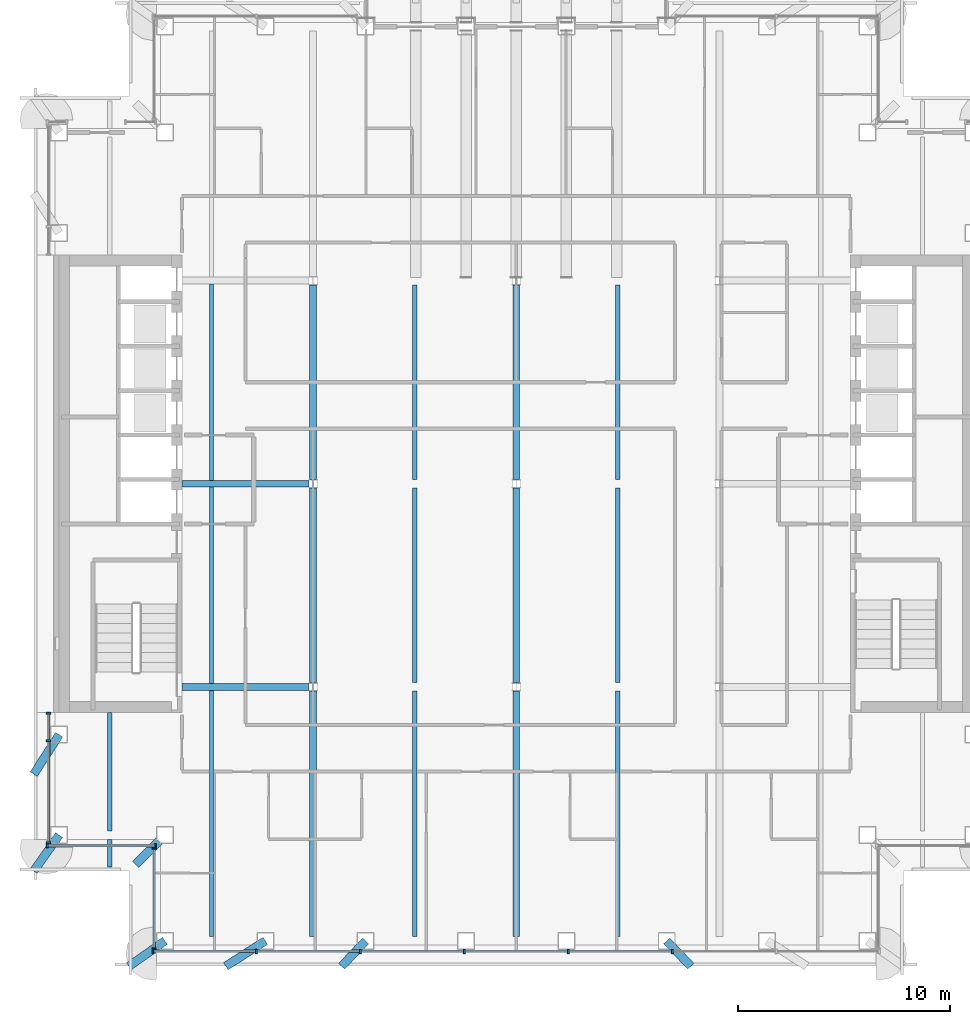
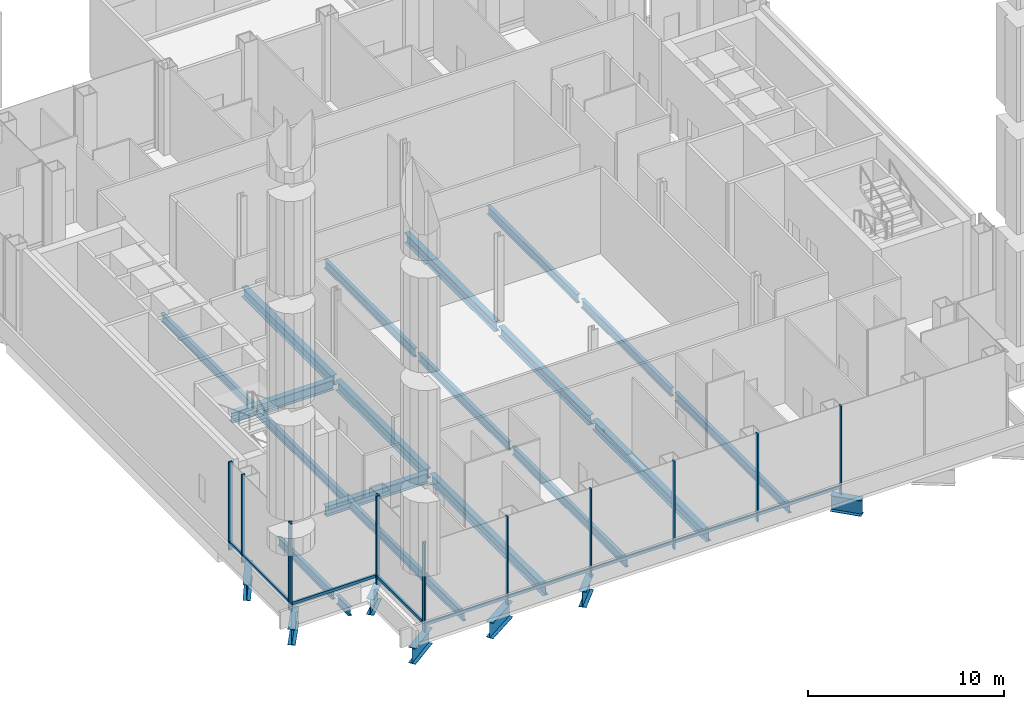
# One storey, part 3 of 22: 26 beams, 22 members, 4 elements without a shape of their own.
"""IFC4 building model written with IfcOpenShell, lengths in metres."""

import ifcopenshell
import ifcopenshell.guid

model = None  # the IFC model being written
_history = None  # IfcOwnerHistory: only IFC2X3 demands one
_inside = {}  # id of a spatial element -> (the spatial element, [elements in it])
_under = {}  # id of a project, library or spatial element -> (it, [spatial elements below it])
_declared = {}  # id of a project -> (the project, [libraries it declares])
_typed = {}  # id of a type object -> (the type object, [elements of that type])
_made_of = {}  # id of a material, layer set ... -> (it, [elements and type objects made of it])


def new_model(schema):
    """Start an empty IFC model of exactly this schema.

    Asked for "IFC4X3", IfcOpenShell would pick the latest addendum, in which some entities
    have other attributes; the version numbers below select the first issue.
    IFC2X3 requires an IfcOwnerHistory on every rooted entity: one is made here for all.
    """
    global model, _history
    if schema == "IFC4X3":
        model = ifcopenshell.file(schema_version=(4, 3, 0, 0))
    else:
        model = ifcopenshell.file(schema=schema)
    _inside.clear()
    _under.clear()
    _declared.clear()
    _typed.clear()
    _made_of.clear()
    _history = None
    if model.schema == "IFC2X3":
        org = make("IfcOrganization", Name="unknown")
        user = make(
            "IfcPersonAndOrganization",
            ThePerson=make("IfcPerson", FamilyName="unknown"),
            TheOrganization=org,
        )
        app = make(
            "IfcApplication",
            ApplicationDeveloper=org,
            Version="unknown",
            ApplicationFullName="unknown",
            ApplicationIdentifier="unknown",
        )
        _history = make(
            "IfcOwnerHistory",
            OwningUser=user,
            OwningApplication=app,
            ChangeAction="ADDED",
            CreationDate=0,
        )
    return model


def make(cls, **values):
    """One entity of the class cls with the attributes given. An attribute that is None is left unset."""
    return model.create_entity(
        cls, **{name: value for name, value in values.items() if value is not None}
    )


def rooted(cls, **values):
    """An entity with a GlobalId (a new one), such as an element, a storey or a relation."""
    return make(cls, GlobalId=ifcopenshell.guid.new(), OwnerHistory=_history, **values)


def si_unit(unit_type, name, prefix=None):
    """IfcSIUnit, for example si_unit("LENGTHUNIT", "METRE", prefix="MILLI")."""
    return make("IfcSIUnit", UnitType=unit_type, Prefix=prefix, Name=name)


def assignment(units):
    """IfcUnitAssignment: the units of a project."""
    return None if units is None else make("IfcUnitAssignment", Units=units)


def point(xyz):
    """IfcCartesianPoint."""
    return None if xyz is None else make("IfcCartesianPoint", Coordinates=xyz)


def direction(xyz):
    """IfcDirection."""
    return None if xyz is None else make("IfcDirection", DirectionRatios=xyz)


def frame(location, z_axis=None, x_axis=None):
    """IfcAxis2Placement3D, a coordinate frame: its origin and axes. An axis left out is left unset."""
    return make(
        "IfcAxis2Placement3D",
        Location=point(location),
        Axis=direction(z_axis),
        RefDirection=direction(x_axis),
    )


def frame_2d(location, x_axis=None):
    """IfcAxis2Placement2D, a coordinate frame in the plane: its origin and x axis."""
    return make(
        "IfcAxis2Placement2D", Location=point(location), RefDirection=direction(x_axis)
    )


def origin():
    """The frame at (0, 0, 0) with its axes left unset."""
    return frame((0.0, 0.0, 0.0))


def origin_2d():
    """The frame at (0, 0) in the plane with its x axis left unset."""
    return frame_2d((0.0, 0.0))


def place(relative_to, where):
    """IfcLocalPlacement: puts the frame where relative to a parent placement (None: the world)."""
    return make(
        "IfcLocalPlacement", PlacementRelTo=relative_to, RelativePlacement=where
    )


def context(
    kind, dimensions, precision=None, world=None, true_north=None, identifier=None
):
    """IfcGeometricRepresentationContext, for example the 3D "Model" context."""
    return make(
        "IfcGeometricRepresentationContext",
        ContextIdentifier=identifier,
        ContextType=kind,
        CoordinateSpaceDimension=dimensions,
        Precision=precision,
        WorldCoordinateSystem=world,
        TrueNorth=true_north,
    )


def subcontext(parent, identifier, kind, view, scale=None):
    """IfcGeometricRepresentationSubContext, for example "Body" below "Model"."""
    return make(
        "IfcGeometricRepresentationSubContext",
        ContextIdentifier=identifier,
        ContextType=kind,
        ParentContext=parent,
        TargetScale=scale,
        TargetView=view,
    )


def project(units=None, contexts=None):
    """IfcProject with its units and contexts."""
    return rooted(
        "IfcProject",
        Name="project",
        RepresentationContexts=contexts,
        UnitsInContext=assignment(units),
    )


def spatial(cls, under=None, at=None, **own):
    """A site, building, storey or space (cls), placed at a placement, below another one or the project."""
    s = rooted(cls, ObjectPlacement=at, **own)
    if under is not None:
        _under.setdefault(under.id(), (under, []))[1].append(s)
    return s


def profile(cls, at=None, kind="AREA", **sizes):
    """A parametric profile (cls). Its sizes go by their IFC names, for example OverallWidth=200.0."""
    return make(cls, ProfileType=kind, Position=at, **sizes)


def rectangle(**sizes):
    """IfcRectangleProfileDef."""
    return profile("IfcRectangleProfileDef", **sizes)


def i_section(**sizes):
    """IfcIShapeProfileDef."""
    return profile("IfcIShapeProfileDef", **sizes)


def extrude(swept, where, along, depth):
    """IfcExtrudedAreaSolid: the profile swept, set in the frame where, extruded along a direction by depth."""
    return make(
        "IfcExtrudedAreaSolid",
        SweptArea=swept,
        Position=where,
        ExtrudedDirection=direction(along),
        Depth=depth,
    )


def shape(context_of_items, identifier, shape_type, items):
    """IfcShapeRepresentation: the items that make up one representation, for example the "Body"."""
    return make(
        "IfcShapeRepresentation",
        ContextOfItems=context_of_items,
        RepresentationIdentifier=identifier,
        RepresentationType=shape_type,
        Items=items,
    )


def material(Name=None, Category=None):
    """IfcMaterial."""
    return make("IfcMaterial", Name=Name, Category=Category)


def material_profile(
    of_material, cross_section, Name=None, Category=None, Priority=None
):
    """IfcMaterialProfile: a cross section and its material."""
    return make(
        "IfcMaterialProfile",
        Name=Name,
        Material=of_material,
        Profile=cross_section,
        Priority=Priority,
        Category=Category,
    )


def profile_set(profiles, Name=None, composite=None):
    """IfcMaterialProfileSet."""
    return make(
        "IfcMaterialProfileSet",
        Name=Name,
        MaterialProfiles=profiles,
        CompositeProfile=composite,
    )


def made_of(thing, what):
    """Note that an element or type object is made of a material, layer set ...; save() writes the relation."""
    if what is not None:
        _made_of.setdefault(what.id(), (what, []))[1].append(thing)
    return thing


def type_object(cls, material=None, **own):
    """A type object (cls), such as IfcWallType, which elements share."""
    return made_of(rooted(cls, **own), material)


def element(
    cls,
    number,
    at=None,
    inside=None,
    cuts=None,
    type_object=None,
    material=None,
    context=None,
    identifier="Body",
    shape_type=None,
    held_by="IfcProductDefinitionShape",
    body=None,
    shapes=None,
    **own,
):
    """One element of the class cls, such as IfcWall. Its Tag is "e" and its number.

    at: its placement. inside: the storey or other place that contains it. cuts: it is an
    opening in that element (IfcRelVoidsElement). A single representation is given by context,
    identifier, shape_type and body (its items); several are given by shapes. held_by: the class
    of the entity that holds the representations. save() writes the other relations.
    """
    e = rooted(cls, Tag="e%d" % number, ObjectPlacement=at, **own)
    if body is not None:
        shapes = [shape(context, identifier, shape_type, body)]
    if shapes is not None:
        e.Representation = make(held_by, Representations=shapes)
    if inside is not None:
        _inside.setdefault(inside.id(), (inside, []))[1].append(e)
    if cuts is not None:
        rooted(
            "IfcRelVoidsElement", RelatingBuildingElement=cuts, RelatedOpeningElement=e
        )
    if type_object is not None:
        _typed.setdefault(type_object.id(), (type_object, []))[1].append(e)
    return made_of(e, material)


def aggregate(whole, parts):
    """IfcRelAggregates: a whole, such as a stair, and the parts it consists of."""
    return rooted("IfcRelAggregates", RelatingObject=whole, RelatedObjects=parts)


def save(model, path):
    """Write the relations noted so far, then the file.

    IfcRelAggregates (storeys below a building ...), IfcRelContainedInSpatialStructure (elements
    in a storey), IfcRelDefinesByType, IfcRelAssociatesMaterial and IfcRelDeclares: one each for
    every whole, place, type object, material and project.
    """
    for whole, parts in _under.values():
        aggregate(whole, parts)
    for where, things in _inside.values():
        rooted(
            "IfcRelContainedInSpatialStructure",
            RelatedElements=things,
            RelatingStructure=where,
        )
    for kind, things in _typed.values():
        rooted("IfcRelDefinesByType", RelatedObjects=things, RelatingType=kind)
    for what, things in _made_of.values():
        rooted("IfcRelAssociatesMaterial", RelatedObjects=things, RelatingMaterial=what)
    for by, libraries in _declared.values():
        rooted("IfcRelDeclares", RelatingContext=by, RelatedDefinitions=libraries)
    model.write(path)


model = new_model("IFC4")

# Units and contexts
model_context = context("Model", 3, precision=1e-05, world=origin(), true_north=direction((0.0, 1.0)))
body_context = subcontext(model_context, "Body", "Model", "MODEL_VIEW")
ifc_project = project(units=[si_unit("LENGTHUNIT", "METRE"), si_unit("AREAUNIT", "SQUARE_METRE"), si_unit("VOLUMEUNIT", "CUBIC_METRE"), si_unit("PLANEANGLEUNIT", "RADIAN"), si_unit("MASSUNIT", "GRAM", prefix="KILO")], contexts=[model_context])

# Site, building, storey
site_placement = place(None, origin())
site = spatial("IfcSite", under=ifc_project, at=site_placement, CompositionType="ELEMENT")
building_placement = place(site_placement, origin())
building = spatial("IfcBuilding", under=site, at=building_placement, Name="Cobrizo Arcos Hotel Tower", CompositionType="ELEMENT")
storey_placement = place(building_placement, frame((0.0, 0.0, 142.5)))
storey = spatial("IfcBuildingStorey", under=building, at=storey_placement, Name="L36", CompositionType="ELEMENT", Elevation=142.5)

# Curtain wall, members
ifc_material_1 = material(Name="Aluminium 6063-T6 anodised bronze", Category="aluminium")
curtain_wall_type = type_object("IfcCurtainWallType", Name="CW-E sky lobby glazing", PredefinedType="NOTDEFINED", material=ifc_material_1)
curtain_wall_1_placement = place(storey_placement, origin())
curtain_wall_1 = element("IfcCurtainWall", 1, at=curtain_wall_1_placement, inside=storey, type_object=curtain_wall_type, Name="CW-E L36 S face", PredefinedType="NOTDEFINED")
ifc_material_profile_1 = material_profile(ifc_material_1, rectangle(XDim=0.199951171875, YDim=0.080078125, at=origin_2d()), Name="CW-E mullion 200x80")
ifc_profile_set_1 = profile_set([ifc_material_profile_1], Name="Aluminium 6063-T6 anodised bronze")
member_type_1 = type_object("IfcMemberType", Name="CW-E mullion 200x80", PredefinedType="MULLION", material=ifc_profile_set_1)
member_1_placement = place(storey_placement, frame((-17.159912109375, -22.10009765625, 0.0), z_axis=(0.0, 0.0, 1.0), x_axis=(0.0, -1.0, 0.0)))
member_1 = element("IfcMember", 2, at=member_1_placement, type_object=member_type_1, Name="CW-E mullion 1", PredefinedType="MULLION", context=body_context, shape_type="SweptSolid", body=[
    extrude(rectangle(XDim=0.199951171875, YDim=0.080078125, at=origin_2d()), origin(), (0.0, 0.0, 1.0), 5.5),
])
member_2_placement = place(storey_placement, frame((-12.28564453125, -22.10009765625, 0.0), z_axis=(0.0, 0.0, 1.0), x_axis=(0.0, -1.0, 0.0)))
member_2 = element("IfcMember", 3, at=member_2_placement, type_object=member_type_1, Name="CW-E mullion 2", PredefinedType="MULLION", context=body_context, shape_type="SweptSolid", body=[
    extrude(rectangle(XDim=0.199951171875, YDim=0.080078125, at=origin_2d()), origin(), (0.0, 0.0, 1.0), 5.5),
])
member_3_placement = place(storey_placement, frame((-7.371337890625, -22.10009765625, 0.0), z_axis=(0.0, 0.0, 1.0), x_axis=(0.0, -1.0, 0.0)))
member_3 = element("IfcMember", 4, at=member_3_placement, type_object=member_type_1, Name="CW-E mullion 3", PredefinedType="MULLION", context=body_context, shape_type="SweptSolid", body=[
    extrude(rectangle(XDim=0.199951171875, YDim=0.080078125, at=origin_2d()), origin(), (0.0, 0.0, 1.0), 5.5),
])
member_4_placement = place(storey_placement, frame((-2.45703125, -22.10009765625, 0.0), z_axis=(0.0, 0.0, 1.0), x_axis=(0.0, -1.0, 0.0)))
member_4 = element("IfcMember", 5, at=member_4_placement, type_object=member_type_1, Name="CW-E mullion 4", PredefinedType="MULLION", context=body_context, shape_type="SweptSolid", body=[
    extrude(rectangle(XDim=0.199951171875, YDim=0.080078125, at=origin_2d()), origin(), (0.0, 0.0, 1.0), 5.5),
])
member_5_placement = place(storey_placement, frame((2.45703125, -22.10009765625, 0.0), z_axis=(0.0, 0.0, 1.0), x_axis=(0.0, -1.0, 0.0)))
member_5 = element("IfcMember", 6, at=member_5_placement, type_object=member_type_1, Name="CW-E mullion 5", PredefinedType="MULLION", context=body_context, shape_type="SweptSolid", body=[
    extrude(rectangle(XDim=0.199951171875, YDim=0.080078125, at=origin_2d()), origin(), (0.0, 0.0, 1.0), 5.5),
])
member_6_placement = place(storey_placement, frame((7.371337890625, -22.10009765625, 0.0), z_axis=(0.0, 0.0, 1.0), x_axis=(0.0, -1.0, 0.0)))
member_6 = element("IfcMember", 7, at=member_6_placement, type_object=member_type_1, Name="CW-E mullion 6", PredefinedType="MULLION", context=body_context, shape_type="SweptSolid", body=[
    extrude(rectangle(XDim=0.199951171875, YDim=0.080078125, at=origin_2d()), origin(), (0.0, 0.0, 1.0), 5.5),
])

curtain_wall_2_placement = place(storey_placement, origin())
curtain_wall_2 = element("IfcCurtainWall", 8, at=curtain_wall_2_placement, inside=storey, type_object=curtain_wall_type, Name="CW-E L36 W face", PredefinedType="NOTDEFINED")
member_7_placement = place(storey_placement, frame((-22.10009765625, -10.840087890625, 0.0), z_axis=(0.0, 0.0, 1.0), x_axis=(-1.0, 0.0, 0.0)))
member_7 = element("IfcMember", 9, at=member_7_placement, type_object=member_type_1, Name="CW-E mullion 1", PredefinedType="MULLION", context=body_context, shape_type="SweptSolid", body=[
    extrude(rectangle(XDim=0.199951171875, YDim=0.080078125, at=origin_2d()), origin(), (0.0, 0.0, 1.0), 5.5),
])
member_8_placement = place(storey_placement, frame((-22.10009765625, -12.142822265625, 0.0), z_axis=(0.0, 0.0, 1.0), x_axis=(-1.0, 0.0, 0.0)))
member_8 = element("IfcMember", 10, at=member_8_placement, type_object=member_type_1, Name="CW-E mullion 2", PredefinedType="MULLION", context=body_context, shape_type="SweptSolid", body=[
    extrude(rectangle(XDim=0.199951171875, YDim=0.080078125, at=origin_2d()), origin(), (0.0, 0.0, 1.0), 5.5),
])
member_9_placement = place(storey_placement, frame((-22.10009765625, -16.9599609375, 0.0), z_axis=(0.0, 0.0, 1.0), x_axis=(-1.0, 0.0, 0.0)))
member_9 = element("IfcMember", 11, at=member_9_placement, type_object=member_type_1, Name="CW-E mullion 3", PredefinedType="MULLION", context=body_context, shape_type="SweptSolid", body=[
    extrude(rectangle(XDim=0.199951171875, YDim=0.080078125, at=origin_2d()), origin(), (0.0, 0.0, 1.0), 5.5),
])

curtain_wall_3_placement = place(storey_placement, origin())
curtain_wall_3 = element("IfcCurtainWall", 12, at=curtain_wall_3_placement, inside=storey, type_object=curtain_wall_type, Name="CW-E L36 S face", PredefinedType="NOTDEFINED")
member_10_placement = place(storey_placement, frame((-22.159912109375, -17.10009765625, 0.0), z_axis=(0.0, 0.0, 1.0), x_axis=(0.0, -1.0, 0.0)))
member_10 = element("IfcMember", 13, at=member_10_placement, type_object=member_type_1, Name="CW-E mullion 1", PredefinedType="MULLION", context=body_context, shape_type="SweptSolid", body=[
    extrude(rectangle(XDim=0.199951171875, YDim=0.080078125, at=origin_2d()), origin(), (0.0, 0.0, 1.0), 5.5),
])
member_11_placement = place(storey_placement, frame((-17.0400390625, -17.10009765625, 0.0), z_axis=(0.0, 0.0, 1.0), x_axis=(0.0, -1.0, 0.0)))
member_11 = element("IfcMember", 14, at=member_11_placement, type_object=member_type_1, Name="CW-E mullion 2", PredefinedType="MULLION", context=body_context, shape_type="SweptSolid", body=[
    extrude(rectangle(XDim=0.199951171875, YDim=0.080078125, at=origin_2d()), origin(), (0.0, 0.0, 1.0), 5.5),
])

curtain_wall_4_placement = place(storey_placement, origin())
curtain_wall_4 = element("IfcCurtainWall", 15, at=curtain_wall_4_placement, inside=storey, type_object=curtain_wall_type, Name="CW-E L36 W face", PredefinedType="NOTDEFINED")
member_12_placement = place(storey_placement, frame((-17.10009765625, -17.239990234375, 0.0), z_axis=(0.0, 0.0, 1.0), x_axis=(-1.0, 0.0, 0.0)))
member_12 = element("IfcMember", 16, at=member_12_placement, type_object=member_type_1, Name="CW-E mullion 1", PredefinedType="MULLION", context=body_context, shape_type="SweptSolid", body=[
    extrude(rectangle(XDim=0.199951171875, YDim=0.080078125, at=origin_2d()), origin(), (0.0, 0.0, 1.0), 5.5),
])
member_13_placement = place(storey_placement, frame((-17.10009765625, -21.9599609375, 0.0), z_axis=(0.0, 0.0, 1.0), x_axis=(-1.0, 0.0, 0.0)))
member_13 = element("IfcMember", 17, at=member_13_placement, type_object=member_type_1, Name="CW-E mullion 2", PredefinedType="MULLION", context=body_context, shape_type="SweptSolid", body=[
    extrude(rectangle(XDim=0.199951171875, YDim=0.080078125, at=origin_2d()), origin(), (0.0, 0.0, 1.0), 5.5),
])

# Member
ifc_material_profile_2 = material_profile(ifc_material_1, rectangle(XDim=0.1201171875, YDim=0.179931640625, at=origin_2d()), Name="CW-E transom 180x120")
ifc_profile_set_2 = profile_set([ifc_material_profile_2], Name="Aluminium 6063-T6 anodised bronze")
member_type_2 = type_object("IfcMemberType", Name="CW-E transom 180x120", PredefinedType="USERDEFINED", material=ifc_profile_set_2)
member_14_placement = place(storey_placement, frame((-17.1201171875, -22.10009765625, 0.449951171875), z_axis=(1.0, 0.0, 0.0), x_axis=(0.0, 1.0, 0.0)))
member_14 = element("IfcMember", 18, at=member_14_placement, type_object=member_type_2, Name="CW-E transom 1307", ObjectType="TRANSOM", PredefinedType="USERDEFINED", context=body_context, shape_type="SweptSolid", body=[
    extrude(rectangle(XDim=0.1201171875, YDim=0.179931640625, at=origin_2d()), origin(), (0.0, 0.0, 1.0), 4.79443359375),
])

member_15_placement = place(storey_placement, frame((-12.24560546875, -22.10009765625, 0.449951171875), z_axis=(1.0, 0.0, 0.0), x_axis=(0.0, 1.0, 0.0)))
member_15 = element("IfcMember", 19, at=member_15_placement, type_object=member_type_2, Name="CW-E transom 1308", ObjectType="TRANSOM", PredefinedType="USERDEFINED", context=body_context, shape_type="SweptSolid", body=[
    extrude(rectangle(XDim=0.1201171875, YDim=0.179931640625, at=origin_2d()), origin(), (0.0, 0.0, 1.0), 4.834228515625),
])

member_16_placement = place(storey_placement, frame((-7.33154296875, -22.10009765625, 0.449951171875), z_axis=(1.0, 0.0, 0.0), x_axis=(0.0, 1.0, 0.0)))
member_16 = element("IfcMember", 20, at=member_16_placement, type_object=member_type_2, Name="CW-E transom 1309", ObjectType="TRANSOM", PredefinedType="USERDEFINED", context=body_context, shape_type="SweptSolid", body=[
    extrude(rectangle(XDim=0.1201171875, YDim=0.179931640625, at=origin_2d()), origin(), (0.0, 0.0, 1.0), 4.83447265625),
])

member_17_placement = place(storey_placement, frame((-2.417236328125, -22.10009765625, 0.449951171875), z_axis=(1.0, 0.0, 0.0), x_axis=(0.0, 1.0, 0.0)))
member_17 = element("IfcMember", 21, at=member_17_placement, type_object=member_type_2, Name="CW-E transom 1310", ObjectType="TRANSOM", PredefinedType="USERDEFINED", context=body_context, shape_type="SweptSolid", body=[
    extrude(rectangle(XDim=0.1201171875, YDim=0.179931640625, at=origin_2d()), origin(), (0.0, 0.0, 1.0), 4.83447265625),
])

member_18_placement = place(storey_placement, frame((2.4970703125, -22.10009765625, 0.449951171875), z_axis=(1.0, 0.0, 0.0), x_axis=(0.0, 1.0, 0.0)))
member_18 = element("IfcMember", 22, at=member_18_placement, type_object=member_type_2, Name="CW-E transom 1311", ObjectType="TRANSOM", PredefinedType="USERDEFINED", context=body_context, shape_type="SweptSolid", body=[
    extrude(rectangle(XDim=0.1201171875, YDim=0.179931640625, at=origin_2d()), origin(), (0.0, 0.0, 1.0), 4.83447265625),
])

aggregate(curtain_wall_1, [member_1, member_2, member_3, member_4, member_5, member_6, member_14, member_15, member_16, member_17, member_18])

member_19_placement = place(storey_placement, frame((-22.10009765625, -10.8798828125, 0.449951171875), z_axis=(0.0, -1.0, 0.0), x_axis=(1.0, 0.0, 0.0)))
member_19 = element("IfcMember", 23, at=member_19_placement, type_object=member_type_2, Name="CW-E transom 1332", ObjectType="TRANSOM", PredefinedType="USERDEFINED", context=body_context, shape_type="SweptSolid", body=[
    extrude(rectangle(XDim=0.1201171875, YDim=0.179931640625, at=origin_2d()), origin(), (0.0, 0.0, 1.0), 1.222900390625),
])

member_20_placement = place(storey_placement, frame((-22.10009765625, -12.182861328125, 0.449951171875), z_axis=(0.0, -1.0, 0.0), x_axis=(1.0, 0.0, 0.0)))
member_20 = element("IfcMember", 24, at=member_20_placement, type_object=member_type_2, Name="CW-E transom 1333", ObjectType="TRANSOM", PredefinedType="USERDEFINED", context=body_context, shape_type="SweptSolid", body=[
    extrude(rectangle(XDim=0.1201171875, YDim=0.179931640625, at=origin_2d()), origin(), (0.0, 0.0, 1.0), 4.737060546875),
])

aggregate(curtain_wall_2, [member_7, member_8, member_9, member_19, member_20])

member_21_placement = place(storey_placement, frame((-22.1201171875, -17.10009765625, 0.449951171875), z_axis=(1.0, 0.0, 0.0), x_axis=(0.0, 1.0, 0.0)))
member_21 = element("IfcMember", 25, at=member_21_placement, type_object=member_type_2, Name="CW-E transom 1334", ObjectType="TRANSOM", PredefinedType="USERDEFINED", context=body_context, shape_type="SweptSolid", body=[
    extrude(rectangle(XDim=0.1201171875, YDim=0.179931640625, at=origin_2d()), origin(), (0.0, 0.0, 1.0), 5.0400390625),
])

aggregate(curtain_wall_3, [member_10, member_11, member_21])

member_22_placement = place(storey_placement, frame((-17.10009765625, -17.280029296875, 0.449951171875), z_axis=(0.0, -1.0, 0.0), x_axis=(1.0, 0.0, 0.0)))
member_22 = element("IfcMember", 26, at=member_22_placement, type_object=member_type_2, Name="CW-E transom 1335", ObjectType="TRANSOM", PredefinedType="USERDEFINED", context=body_context, shape_type="SweptSolid", body=[
    extrude(rectangle(XDim=0.1201171875, YDim=0.179931640625, at=origin_2d()), origin(), (0.0, 0.0, 1.0), 4.639892578125),
])

aggregate(curtain_wall_4, [member_12, member_13, member_22])

# Beams
ifc_material_2 = material(Name="Steel ASTM A992 Grade 50", Category="steel")
ifc_material_profile_3 = material_profile(ifc_material_2, i_section(OverallWidth=0.209228515625, OverallDepth=0.533447265625, WebThickness=0.01025390625, FlangeThickness=0.015625, at=origin_2d()), Name="W21X62")
ifc_profile_set_3 = profile_set([ifc_material_profile_3], Name="Steel ASTM A992 Grade 50")
beam_type_1 = type_object("IfcBeamType", Name="W21X62 joist", PredefinedType="JOIST", material=ifc_profile_set_3)
beam_1_placement = place(storey_placement, frame((-19.199951171875, -18.099609375, -0.466796875), z_axis=(0.0, 1.0, 0.0), x_axis=(-1.0, 0.0, 0.0)))
element("IfcBeam", 27, at=beam_1_placement, inside=storey, type_object=beam_type_1, Name="Floor joist J1, L36, no. 001", PredefinedType="JOIST", context=body_context, shape_type="SweptSolid", body=[
    extrude(i_section(OverallWidth=0.209228515625, OverallDepth=0.533447265625, WebThickness=0.01025390625, FlangeThickness=0.015625, at=origin_2d()), origin(), (0.0, 0.0, 1.0), 1.299072265625),
])
beam_2_placement = place(storey_placement, frame((-19.199951171875, -16.3994140625, -0.466796875), z_axis=(0.0, 1.0, 0.0), x_axis=(-1.0, 0.0, 0.0)))
element("IfcBeam", 28, at=beam_2_placement, inside=storey, type_object=beam_type_1, Name="Floor joist J1, L36, no. 002", PredefinedType="JOIST", context=body_context, shape_type="SweptSolid", body=[
    extrude(i_section(OverallWidth=0.209228515625, OverallDepth=0.533447265625, WebThickness=0.01025390625, FlangeThickness=0.015625, at=origin_2d()), origin(), (0.0, 0.0, 1.0), 5.58935546875),
])
beam_3_placement = place(storey_placement, frame((-14.39990234375, -21.3994140625, -0.466796875), z_axis=(0.0, 1.0, 0.0), x_axis=(-1.0, 0.0, 0.0)))
element("IfcBeam", 29, at=beam_3_placement, inside=storey, type_object=beam_type_1, Name="Floor joist J1, L36, no. 005", PredefinedType="JOIST", context=body_context, shape_type="SweptSolid", body=[
    extrude(i_section(OverallWidth=0.209228515625, OverallDepth=0.533447265625, WebThickness=0.01025390625, FlangeThickness=0.015625, at=origin_2d()), origin(), (0.0, 0.0, 1.0), 11.635498046875),
])
for number, where, z_axis, x_axis, name in (
    (30, (-14.39990234375, -9.43603515625, -0.466796875), (0.0, 1.0, 0.0), (-1.0, 0.0, 0.0), "Floor joist J1, L36, no. 006"),
    (31, (-14.39990234375, 0.163818359375, -0.466796875), (0.0, 1.0, 0.0), (-1.0, 0.0, 0.0), "Floor joist J1, L36, no. 007"),
):
    element("IfcBeam", number, at=place(storey_placement, frame(where, z_axis=z_axis, x_axis=x_axis)), inside=storey, type_object=beam_type_1, Name=name, PredefinedType="JOIST", context=body_context, shape_type="SweptSolid", body=[
        extrude(i_section(OverallWidth=0.209228515625, OverallDepth=0.533447265625, WebThickness=0.01025390625, FlangeThickness=0.015625, at=origin_2d()), origin(), (0.0, 0.0, 1.0), 9.272216796875),
    ])
beam_4_placement = place(storey_placement, frame((-4.800048828125, -21.3994140625, -0.466796875), z_axis=(0.0, 1.0, 0.0), x_axis=(-1.0, 0.0, 0.0)))
element("IfcBeam", 32, at=beam_4_placement, inside=storey, type_object=beam_type_1, Name="Floor joist J1, L36, no. 009", PredefinedType="JOIST", context=body_context, shape_type="SweptSolid", body=[
    extrude(i_section(OverallWidth=0.209228515625, OverallDepth=0.533447265625, WebThickness=0.01025390625, FlangeThickness=0.015625, at=origin_2d()), origin(), (0.0, 0.0, 1.0), 11.598876953125),
])
for number, where, z_axis, x_axis, name in (
    (33, (-4.800048828125, -9.3994140625, -0.466796875), (0.0, 1.0, 0.0), (-1.0, 0.0, 0.0), "Floor joist J1, L36, no. 010"),
    (34, (-4.800048828125, 0.200439453125, -0.466796875), (0.0, 1.0, 0.0), (-1.0, 0.0, 0.0), "Floor joist J1, L36, no. 011"),
):
    element("IfcBeam", number, at=place(storey_placement, frame(where, z_axis=z_axis, x_axis=x_axis)), inside=storey, type_object=beam_type_1, Name=name, PredefinedType="JOIST", context=body_context, shape_type="SweptSolid", body=[
        extrude(i_section(OverallWidth=0.209228515625, OverallDepth=0.533447265625, WebThickness=0.01025390625, FlangeThickness=0.015625, at=origin_2d()), origin(), (0.0, 0.0, 1.0), 9.198974609375),
    ])
beam_5_placement = place(storey_placement, frame((4.800048828125, -21.3994140625, -0.466796875), z_axis=(0.0, 1.0, 0.0), x_axis=(-1.0, 0.0, 0.0)))
element("IfcBeam", 35, at=beam_5_placement, inside=storey, type_object=beam_type_1, Name="Floor joist J1, L36, no. 012", PredefinedType="JOIST", context=body_context, shape_type="SweptSolid", body=[
    extrude(i_section(OverallWidth=0.209228515625, OverallDepth=0.533447265625, WebThickness=0.01025390625, FlangeThickness=0.015625, at=origin_2d()), origin(), (0.0, 0.0, 1.0), 11.598876953125),
])
for number, where, z_axis, x_axis, name in (
    (36, (4.800048828125, -9.3994140625, -0.466796875), (0.0, 1.0, 0.0), (-1.0, 0.0, 0.0), "Floor joist J1, L36, no. 013"),
    (37, (4.800048828125, 0.200439453125, -0.466796875), (0.0, 1.0, 0.0), (-1.0, 0.0, 0.0), "Floor joist J1, L36, no. 014"),
):
    element("IfcBeam", number, at=place(storey_placement, frame(where, z_axis=z_axis, x_axis=x_axis)), inside=storey, type_object=beam_type_1, Name=name, PredefinedType="JOIST", context=body_context, shape_type="SweptSolid", body=[
        extrude(i_section(OverallWidth=0.209228515625, OverallDepth=0.533447265625, WebThickness=0.01025390625, FlangeThickness=0.015625, at=origin_2d()), origin(), (0.0, 0.0, 1.0), 9.198974609375),
    ])
ifc_material_profile_4 = material_profile(ifc_material_2, i_section(OverallWidth=0.32763671875, OverallDepth=0.622314453125, WebThickness=0.015380859375, FlangeThickness=0.0244140625, at=origin_2d()), Name="W24X131")
ifc_profile_set_4 = profile_set([ifc_material_profile_4], Name="Steel ASTM A992 Grade 50")
beam_type_2 = type_object("IfcBeamType", Name="W24X131 girder", PredefinedType="BEAM", material=ifc_profile_set_4)
for number, where, z_axis, x_axis, name in (
    (38, (-15.7900390625, -9.60009765625, -0.510986328125), (1.0, 0.0, 0.0), (0.0, 1.0, 0.0), "Floor girder G1, L36, no. 001"),
    (39, (-15.7900390625, 0.0, -0.510986328125), (1.0, 0.0, 0.0), (0.0, 1.0, 0.0), "Floor girder G1, L36, no. 003"),
):
    element("IfcBeam", number, at=place(storey_placement, frame(where, z_axis=z_axis, x_axis=x_axis)), inside=storey, type_object=beam_type_2, Name=name, PredefinedType="BEAM", context=body_context, shape_type="SweptSolid", body=[
        extrude(i_section(OverallWidth=0.32763671875, OverallDepth=0.622314453125, WebThickness=0.015380859375, FlangeThickness=0.0244140625, at=origin_2d()), origin(), (0.0, 0.0, 1.0), 5.99072265625),
    ])
beam_6_placement = place(storey_placement, frame((-9.60009765625, -21.3994140625, -0.510986328125), z_axis=(0.0, 1.0, 0.0), x_axis=(-1.0, 0.0, 0.0)))
element("IfcBeam", 40, at=beam_6_placement, inside=storey, type_object=beam_type_2, Name="Floor girder G1, L36, no. 007", PredefinedType="BEAM", context=body_context, shape_type="SweptSolid", body=[
    extrude(i_section(OverallWidth=0.32763671875, OverallDepth=0.622314453125, WebThickness=0.015380859375, FlangeThickness=0.0244140625, at=origin_2d()), origin(), (0.0, 0.0, 1.0), 11.598876953125),
])
for number, where, z_axis, x_axis, name in (
    (41, (-9.60009765625, -9.3994140625, -0.510986328125), (0.0, 1.0, 0.0), (-1.0, 0.0, 0.0), "Floor girder G1, L36, no. 008"),
    (42, (-9.60009765625, 0.200439453125, -0.510986328125), (0.0, 1.0, 0.0), (-1.0, 0.0, 0.0), "Floor girder G1, L36, no. 009"),
):
    element("IfcBeam", number, at=place(storey_placement, frame(where, z_axis=z_axis, x_axis=x_axis)), inside=storey, type_object=beam_type_2, Name=name, PredefinedType="BEAM", context=body_context, shape_type="SweptSolid", body=[
        extrude(i_section(OverallWidth=0.32763671875, OverallDepth=0.622314453125, WebThickness=0.015380859375, FlangeThickness=0.0244140625, at=origin_2d()), origin(), (0.0, 0.0, 1.0), 9.198974609375),
    ])
beam_7_placement = place(storey_placement, frame((0.0, -21.3994140625, -0.510986328125), z_axis=(0.0, 1.0, 0.0), x_axis=(-1.0, 0.0, 0.0)))
element("IfcBeam", 43, at=beam_7_placement, inside=storey, type_object=beam_type_2, Name="Floor girder G1, L36, no. 011", PredefinedType="BEAM", context=body_context, shape_type="SweptSolid", body=[
    extrude(i_section(OverallWidth=0.32763671875, OverallDepth=0.622314453125, WebThickness=0.015380859375, FlangeThickness=0.0244140625, at=origin_2d()), origin(), (0.0, 0.0, 1.0), 11.598876953125),
])
for number, where, z_axis, x_axis, name in (
    (44, (0.0, -9.3994140625, -0.510986328125), (0.0, 1.0, 0.0), (-1.0, 0.0, 0.0), "Floor girder G1, L36, no. 012"),
    (45, (0.0, 0.200439453125, -0.510986328125), (0.0, 1.0, 0.0), (-1.0, 0.0, 0.0), "Floor girder G1, L36, no. 013"),
):
    element("IfcBeam", number, at=place(storey_placement, frame(where, z_axis=z_axis, x_axis=x_axis)), inside=storey, type_object=beam_type_2, Name=name, PredefinedType="BEAM", context=body_context, shape_type="SweptSolid", body=[
        extrude(i_section(OverallWidth=0.32763671875, OverallDepth=0.622314453125, WebThickness=0.015380859375, FlangeThickness=0.0244140625, at=origin_2d()), origin(), (0.0, 0.0, 1.0), 9.198974609375),
    ])
ifc_material_profile_5 = material_profile(ifc_material_2, i_section(OverallWidth=0.4013671875, OverallDepth=0.990478515625, WebThickness=0.0166015625, FlangeThickness=0.025390625, at=origin_2d()), Name="W40X215")
ifc_profile_set_5 = profile_set([ifc_material_profile_5], Name="Steel ASTM A992 Grade 50")
beam_type_3 = type_object("IfcBeamType", Name="W40X215 transfer girder", PredefinedType="BEAM", material=ifc_profile_set_5)
beam_8_placement = place(storey_placement, frame((-18.300048828125, -22.800048828125, -0.6953125), z_axis=(0.816971114901, 0.576678591087, 0.0), x_axis=(-0.576678591087, 0.816971114901, 0.0)))
element("IfcBeam", 46, at=beam_8_placement, inside=storey, type_object=beam_type_3, Name="Setback transfer girder TG1, L36, no. 002", PredefinedType="BEAM", context=body_context, shape_type="SweptSolid", body=[
    extrude(i_section(OverallWidth=0.4013671875, OverallDepth=0.990478515625, WebThickness=0.0166015625, FlangeThickness=0.025390625, at=origin_2d()), origin(), (0.0, 0.0, 1.0), 2.080810546875),
])
beam_9_placement = place(storey_placement, frame((-13.72509765625, -22.800048828125, -0.6953125), z_axis=(0.841385623692, 0.540435224836, 0.0), x_axis=(-0.540435224836, 0.841385623692, 0.0)))
element("IfcBeam", 47, at=beam_9_placement, inside=storey, type_object=beam_type_3, Name="Setback transfer girder TG1, L36, no. 004", PredefinedType="BEAM", context=body_context, shape_type="SweptSolid", body=[
    extrude(i_section(OverallWidth=0.4013671875, OverallDepth=0.990478515625, WebThickness=0.0166015625, FlangeThickness=0.025390625, at=origin_2d()), origin(), (0.0, 0.0, 1.0), 2.220458984375),
])
for number, where, z_axis, x_axis, name in (
    (48, (-8.25, -22.800048828125, -0.6953125), (0.68748641725, 0.72619723636, 0.0), (-0.72619723636, 0.68748641725, 0.0), "Setback transfer girder TG1, L36, no. 006"),
    (49, (8.25, -22.800048828125, -0.6953125), (-0.68748641725, 0.72619723636, 0.0), (-0.72619723636, -0.68748641725, 0.0), "Setback transfer girder TG1, L36, no. 008"),
):
    element("IfcBeam", number, at=place(storey_placement, frame(where, z_axis=z_axis, x_axis=x_axis)), inside=storey, type_object=beam_type_3, Name=name, PredefinedType="BEAM", context=body_context, shape_type="SweptSolid", body=[
        extrude(i_section(OverallWidth=0.4013671875, OverallDepth=0.990478515625, WebThickness=0.0166015625, FlangeThickness=0.025390625, at=origin_2d()), origin(), (0.0, 0.0, 1.0), 1.65234375),
    ])
beam_10_placement = place(storey_placement, frame((-22.800048828125, -18.300048828125, -0.6953125), z_axis=(0.576678591087, 0.816971114901, 0.0), x_axis=(-0.816971114901, 0.576678591087, 0.0)))
element("IfcBeam", 50, at=beam_10_placement, inside=storey, type_object=beam_type_3, Name="Setback transfer girder TG1, L36, no. 014", PredefinedType="BEAM", context=body_context, shape_type="SweptSolid", body=[
    extrude(i_section(OverallWidth=0.4013671875, OverallDepth=0.990478515625, WebThickness=0.0166015625, FlangeThickness=0.025390625, at=origin_2d()), origin(), (0.0, 0.0, 1.0), 2.080810546875),
])
beam_11_placement = place(storey_placement, frame((-22.800048828125, -13.72509765625, -0.6953125), z_axis=(0.540435224836, 0.841385623692, 0.0), x_axis=(-0.841385623692, 0.540435224836, 0.0)))
element("IfcBeam", 51, at=beam_11_placement, inside=storey, type_object=beam_type_3, Name="Setback transfer girder TG1, L36, no. 016", PredefinedType="BEAM", context=body_context, shape_type="SweptSolid", body=[
    extrude(i_section(OverallWidth=0.4013671875, OverallDepth=0.990478515625, WebThickness=0.0166015625, FlangeThickness=0.025390625, at=origin_2d()), origin(), (0.0, 0.0, 1.0), 2.220458984375),
])
beam_12_placement = place(storey_placement, frame((-17.981689453125, -17.981689453125, -0.6953125), z_axis=(0.707106781187, 0.707106781187, 0.0), x_axis=(-0.707106781187, 0.707106781187, 0.0)))
element("IfcBeam", 52, at=beam_12_placement, inside=storey, type_object=beam_type_3, Name="Setback transfer girder TG1, L36, no. 021", PredefinedType="BEAM", context=body_context, shape_type="SweptSolid", body=[
    extrude(i_section(OverallWidth=0.4013671875, OverallDepth=0.990478515625, WebThickness=0.0166015625, FlangeThickness=0.025390625, at=origin_2d()), origin(), (0.0, 0.0, 1.0), 1.553955078125),
])

save(model, "model.ifc")
